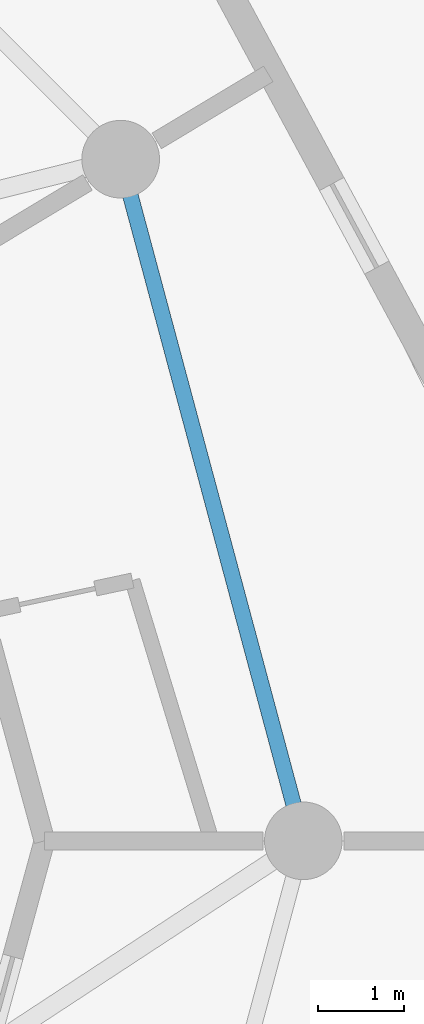
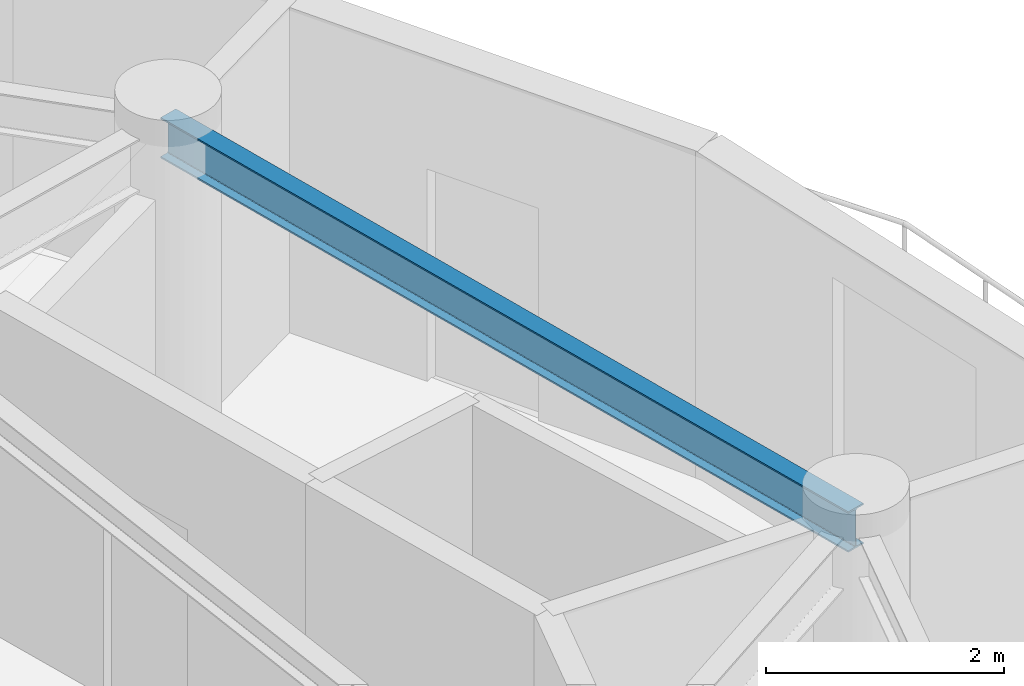
# One storey, part 13 of 23: 1 beam.
"""IFC4 building model written with IfcOpenShell, lengths in metres."""

from ifc_helpers import new_model, si_unit, direction, frame, origin, origin_2d, place, context, subcontext, project, spatial, i_section, extrude, material, material_profile, profile_set, type_object, element, save


model = new_model("IFC4")

# Units and contexts
model_context = context("Model", 3, precision=1e-05, world=origin(), true_north=direction((0.0, 1.0)))
body_context = subcontext(model_context, "Body", "Model", "MODEL_VIEW")
ifc_project = project(units=[si_unit("LENGTHUNIT", "METRE"), si_unit("AREAUNIT", "SQUARE_METRE"), si_unit("VOLUMEUNIT", "CUBIC_METRE"), si_unit("PLANEANGLEUNIT", "RADIAN"), si_unit("MASSUNIT", "GRAM", prefix="KILO")], contexts=[model_context])

# Site, building, storey
site_placement = place(None, origin())
site = spatial("IfcSite", under=ifc_project, at=site_placement, CompositionType="ELEMENT")
building_placement = place(site_placement, origin())
building = spatial("IfcBuilding", under=site, at=building_placement, Name="Solvirekh Grand Hotel", CompositionType="ELEMENT")
storey_placement = place(building_placement, frame((0.0, 0.0, 173.199951171875)))
storey = spatial("IfcBuildingStorey", under=building, at=storey_placement, Name="L44", CompositionType="ELEMENT", Elevation=173.199951171875)

# Beam
ifc_material = material(Name="Steel S355", Category="steel")
ifc_material_profile = material_profile(ifc_material, i_section(OverallWidth=0.180908203125, OverallDepth=0.4169921875, WebThickness=0.010009765625, FlangeThickness=0.01611328125, FilletRadius=0.011962890625, at=origin_2d()), Name="W410X85")
ifc_profile_set = profile_set([ifc_material_profile], Name="Steel S355")
beam_type = type_object("IfcBeamType", Name="Spandrel_Ring_W410", PredefinedType="SPANDREL", material=ifc_profile_set)
beam_placement = place(storey_placement, frame((15.800048828125, 0.0, 3.152099609375), z_axis=(-0.258838541915, 0.965920601923, 0.0), x_axis=(-0.965920601923, -0.258838541915, 0.0)))
element("IfcBeam", 1, at=beam_placement, inside=storey, type_object=beam_type, Name="L44 perimeter spandrel beam 1", PredefinedType="SPANDREL", context=body_context, shape_type="SweptSolid", body=[
    extrude(i_section(OverallWidth=0.180908203125, OverallDepth=0.4169921875, WebThickness=0.010009765625, FlangeThickness=0.01611328125, FilletRadius=0.011962890625, at=origin_2d()), origin(), (0.0, 0.0, 1.0), 8.1787109375),
])

save(model, "model.ifc")
